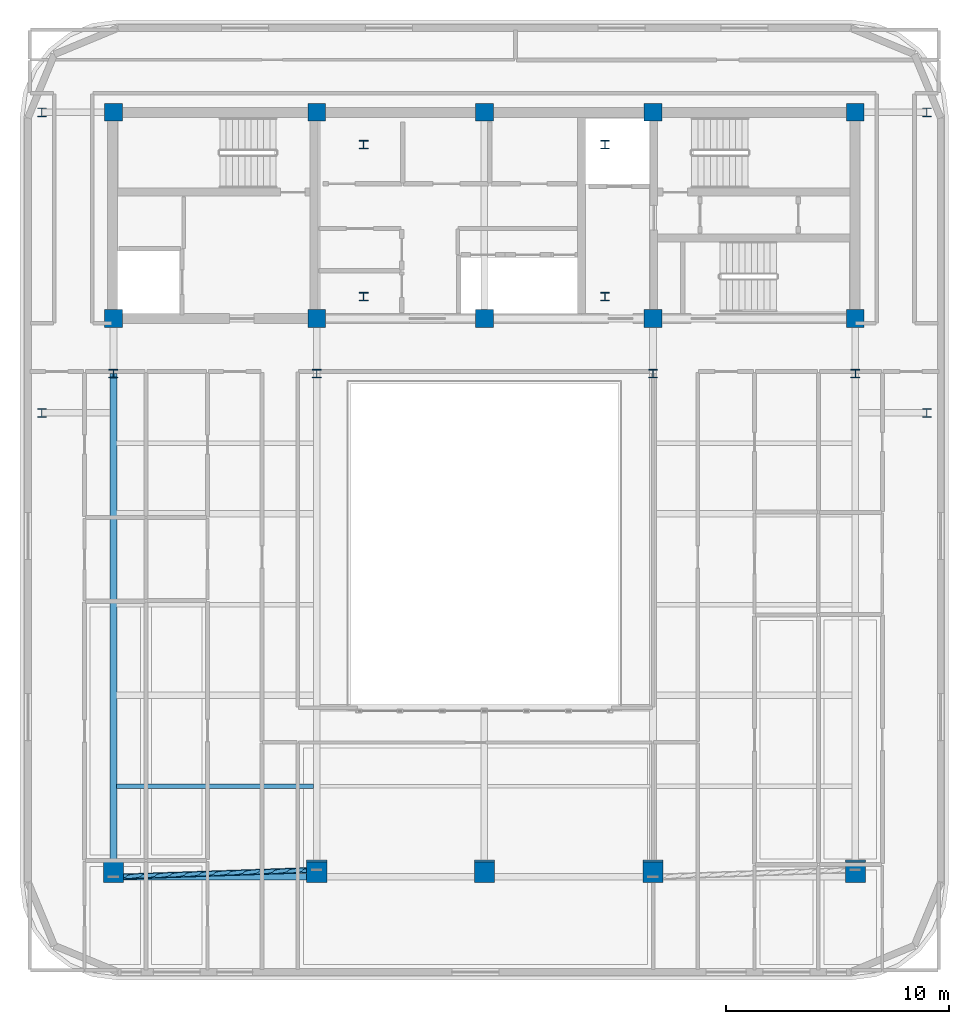
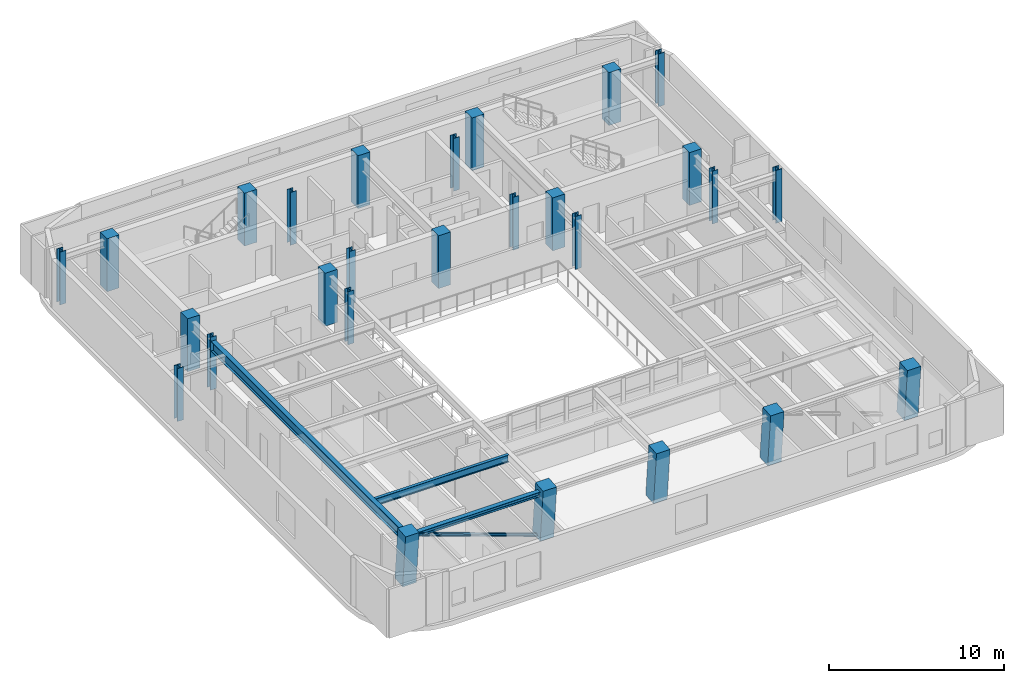
# One storey, part 1 of 13: 27 columns, 3 beams, 1 member.
"""IFC4 building model written with IfcOpenShell, lengths in metres."""

from ifc_helpers import new_model, si_unit, direction, frame, origin, origin_2d, place, context, subcontext, project, spatial, rectangle, hollow_circle, i_section, extrude, material, material_profile, profile_set, type_object, element, save


model = new_model("IFC4")

# Units and contexts
model_context = context("Model", 3, precision=1e-05, world=origin(), true_north=direction((0.0, 1.0)))
body_context = subcontext(model_context, "Body", "Model", "MODEL_VIEW")
ifc_project = project(units=[si_unit("LENGTHUNIT", "METRE"), si_unit("AREAUNIT", "SQUARE_METRE"), si_unit("VOLUMEUNIT", "CUBIC_METRE"), si_unit("PLANEANGLEUNIT", "RADIAN"), si_unit("MASSUNIT", "GRAM", prefix="KILO")], contexts=[model_context])

# Site, building, storey
site_placement = place(None, origin())
site = spatial("IfcSite", under=ifc_project, at=site_placement, CompositionType="ELEMENT")
building_placement = place(site_placement, origin())
building = spatial("IfcBuilding", under=site, at=building_placement, Name="Zarnavel Station Tower", CompositionType="ELEMENT")
storey_placement = place(building_placement, frame((0.0, 0.0, 254.699951171875)))
storey = spatial("IfcBuildingStorey", under=building, at=storey_placement, Name="L69", CompositionType="ELEMENT", Elevation=254.699951171875)

# Columns
ifc_material_1 = material(Name="Steel S355J2", Category="steel")
ifc_material_profile_1 = material_profile(ifc_material_1, i_section(OverallWidth=0.407958984375, OverallDepth=0.39990234375, WebThickness=0.02490234375, FlangeThickness=0.0390625, FilletRadius=0.014892578125, at=origin_2d()), Name="HD400x287")
ifc_profile_set_1 = profile_set([ifc_material_profile_1], Name="Steel S355J2")
column_type_1 = type_object("IfcColumnType", Name="EC_HD287", PredefinedType="COLUMN", material=ifc_profile_set_1)
for number, where, z_axis, x_axis, name in (
    (1, (9.0, 23.60009765625, 0.0), (0.0, 0.0, 1.0), (1.0, 0.0, 0.0), "L69 Inner Wing Spine Column 1-1"),
    (2, (9.0, 37.050048828125, 0.0), (0.0, 0.0, 1.0), (1.0, 0.0, 0.0), "L69 Inner Wing Spine Column 1-2"),
    (3, (48.60009765625, 23.60009765625, 0.0), (0.0, 0.0, 1.0), (1.0, 0.0, 0.0), "L69 Inner Wing Spine Column 2-1"),
    (4, (48.60009765625, 37.050048828125, 0.0), (0.0, 0.0, 1.0), (1.0, 0.0, 0.0), "L69 Inner Wing Spine Column 2-2"),
):
    element("IfcColumn", number, at=place(storey_placement, frame(where, z_axis=z_axis, x_axis=x_axis)), inside=storey, type_object=column_type_1, Name=name, PredefinedType="COLUMN", context=body_context, shape_type="SweptSolid", body=[
        extrude(i_section(OverallWidth=0.407958984375, OverallDepth=0.39990234375, WebThickness=0.02490234375, FlangeThickness=0.0390625, FilletRadius=0.014892578125, at=origin_2d()), origin(), (0.0, 0.0, 1.0), 3.699951171875),
    ])
ifc_material_2 = material(Name="Steel S355J2", Category="steel")
ifc_material_profile_2 = material_profile(ifc_material_2, i_section(OverallWidth=0.39501953125, OverallDepth=0.3798828125, WebThickness=0.018798828125, FlangeThickness=0.0302734375, FilletRadius=0.014892578125, at=origin_2d()), Name="HD400x237")
ifc_profile_set_2 = profile_set([ifc_material_profile_2], Name="Steel S355J2")
column_type_2 = type_object("IfcColumnType", Name="IC_HD237", PredefinedType="COLUMN", material=ifc_profile_set_2)
for number, where, z_axis, x_axis, name in (
    (5, (23.39990234375, 28.800048828125, 0.0), (0.0, 0.0, 1.0), (1.0, 0.0, 0.0), "L69 Mast Spine Column 1"),
    (6, (34.199951171875, 28.800048828125, 0.0), (0.0, 0.0, 1.0), (1.0, 0.0, 0.0), "L69 Mast Spine Column 2"),
    (7, (34.199951171875, 35.60009765625, 0.0), (0.0, 0.0, 1.0), (1.0, 0.0, 0.0), "L69 Mast Spine Column 3"),
    (8, (23.39990234375, 35.60009765625, 0.0), (0.0, 0.0, 1.0), (1.0, 0.0, 0.0), "L69 Mast Spine Column 4"),
    (9, (12.199951171875, 25.35009765625, 0.0), (0.0, 0.0, 1.0), (1.0, 0.0, 0.0), "L69 Inner Spine Column 1"),
    (10, (21.300048828125, 25.35009765625, 0.0), (0.0, 0.0, 1.0), (1.0, 0.0, 0.0), "L69 Inner Spine Column 2"),
    (11, (36.35009765625, 25.35009765625, 0.0), (0.0, 0.0, 1.0), (1.0, 0.0, 0.0), "L69 Inner Spine Column 4"),
    (12, (45.39990234375, 25.35009765625, 0.0), (0.0, 0.0, 1.0), (1.0, 0.0, 0.0), "L69 Inner Spine Column 5"),
):
    element("IfcColumn", number, at=place(storey_placement, frame(where, z_axis=z_axis, x_axis=x_axis)), inside=storey, type_object=column_type_2, Name=name, PredefinedType="COLUMN", context=body_context, shape_type="SweptSolid", body=[
        extrude(i_section(OverallWidth=0.39501953125, OverallDepth=0.3798828125, WebThickness=0.018798828125, FlangeThickness=0.0302734375, FilletRadius=0.014892578125, at=origin_2d()), origin(), (0.0, 0.0, 1.0), 3.699951171875),
    ])
ifc_material_3 = material(Name="Concrete C45/55", Category="concrete")
ifc_material_profile_3 = material_profile(ifc_material_3, rectangle(XDim=0.800048828125, YDim=0.800048828125, at=origin_2d()), Name="RC800x800")
ifc_profile_set_3 = profile_set([ifc_material_profile_3], Name="Concrete C45/55")
column_type_3 = type_object("IfcColumnType", Name="IC_RC800", PredefinedType="COLUMN", material=ifc_profile_set_3)
for number, where, z_axis, x_axis, name in (
    (13, (12.199951171875, 27.820068359375, 0.0), (0.0, 0.0, 1.0), (1.0, 0.0, 0.0), "L69 Core Spine Column 1-1"),
    (14, (12.199951171875, 37.050048828125, 0.0), (0.0, 0.0, 1.0), (1.0, 0.0, 0.0), "L69 Core Spine Column 1-2"),
    (15, (21.300048828125, 27.820068359375, 0.0), (0.0, 0.0, 1.0), (1.0, 0.0, 0.0), "L69 Core Spine Column 2-1"),
    (16, (21.300048828125, 37.050048828125, 0.0), (0.0, 0.0, 1.0), (1.0, 0.0, 0.0), "L69 Core Spine Column 2-2"),
    (17, (28.800048828125, 27.820068359375, 0.0), (0.0, 0.0, 1.0), (1.0, 0.0, 0.0), "L69 Core Spine Column 3-1"),
    (18, (28.800048828125, 37.050048828125, 0.0), (0.0, 0.0, 1.0), (1.0, 0.0, 0.0), "L69 Core Spine Column 3-2"),
    (19, (36.35009765625, 27.820068359375, 0.0), (0.0, 0.0, 1.0), (1.0, 0.0, 0.0), "L69 Core Spine Column 4-1"),
    (20, (36.35009765625, 37.050048828125, 0.0), (0.0, 0.0, 1.0), (1.0, 0.0, 0.0), "L69 Core Spine Column 4-2"),
    (21, (45.39990234375, 27.820068359375, 0.0), (0.0, 0.0, 1.0), (1.0, 0.0, 0.0), "L69 Core Spine Column 5-1"),
    (22, (45.39990234375, 37.050048828125, 0.0), (0.0, 0.0, 1.0), (1.0, 0.0, 0.0), "L69 Core Spine Column 5-2"),
):
    element("IfcColumn", number, at=place(storey_placement, frame(where, z_axis=z_axis, x_axis=x_axis)), inside=storey, type_object=column_type_3, Name=name, PredefinedType="COLUMN", context=body_context, shape_type="SweptSolid", body=[
        extrude(rectangle(XDim=0.800048828125, YDim=0.800048828125, at=origin_2d()), origin(), (0.0, 0.0, 1.0), 3.699951171875),
    ])
ifc_material_4 = material(Name="Concrete C50/60", Category="concrete")
ifc_material_profile_4 = material_profile(ifc_material_4, rectangle(XDim=0.89990234375, YDim=0.89990234375, at=origin_2d()), Name="RC900x900")
ifc_profile_set_4 = profile_set([ifc_material_profile_4], Name="Concrete C50/60")
column_type_4 = type_object("IfcColumnType", Name="MC_RC900", PredefinedType="COLUMN", material=ifc_profile_set_4)
for number, where, z_axis, x_axis, name in (
    (23, (12.199951171875, 3.147216796875, 0.0), (0.0, -0.090292812226, 0.995915261486), (1.0, 0.0, 0.0), "L69 Raked South Mega-Column 1"),
    (24, (21.300048828125, 3.147216796875, 0.0), (0.0, -0.090292812226, 0.995915261486), (1.0, 0.0, 0.0), "L69 Raked South Mega-Column 2"),
    (25, (28.800048828125, 3.147216796875, 0.0), (0.0, -0.090292812226, 0.995915261486), (1.0, 0.0, 0.0), "L69 Raked South Mega-Column 3"),
    (26, (36.35009765625, 3.147216796875, 0.0), (0.0, -0.090292812226, 0.995915261486), (1.0, 0.0, 0.0), "L69 Raked South Mega-Column 4"),
    (27, (45.39990234375, 3.147216796875, 0.0), (0.0, -0.090292812226, 0.995915261486), (1.0, 0.0, 0.0), "L69 Raked South Mega-Column 5"),
):
    element("IfcColumn", number, at=place(storey_placement, frame(where, z_axis=z_axis, x_axis=x_axis)), inside=storey, type_object=column_type_4, Name=name, PredefinedType="COLUMN", context=body_context, shape_type="SweptSolid", body=[
        extrude(rectangle(XDim=0.89990234375, YDim=0.89990234375, at=origin_2d()), origin(), (0.0, 0.0, 1.0), 3.715087890625),
    ])

# Member
ifc_material_5 = material(Name="Steel S355J2", Category="steel")
ifc_material_profile_5 = material_profile(ifc_material_5, hollow_circle(Radius=0.122314453125, WallThickness=0.010009765625, at=origin_2d()), Name="CHS244.5x10")
ifc_profile_set_5 = profile_set([ifc_material_profile_5], Name="Steel S355J2")
member_type = type_object("IfcMemberType", Name="DB_EXT_CHS245", PredefinedType="BRACE", material=ifc_profile_set_5)
member_placement = place(storey_placement, frame((21.300048828125, 3.147216796875, 0.0), z_axis=(-0.935595182058, -0.03187760587, 0.35163258318), x_axis=(0.034052247375, -0.999420054056, 0.0)))
element("IfcMember", 28, at=member_placement, inside=storey, type_object=member_type, Name="L69 Persian Exterior Diagonal Frame Brace 1", PredefinedType="BRACE", context=body_context, shape_type="SweptSolid", body=[
    extrude(hollow_circle(Radius=0.122314453125, WallThickness=0.010009765625, at=origin_2d()), origin(), (0.0, 0.0, 1.0), 9.7265625),
])

# Beams
ifc_material_6 = material(Name="Steel S355J2", Category="steel")
ifc_material_profile_6 = material_profile(ifc_material_6, i_section(OverallWidth=0.300048828125, OverallDepth=0.320068359375, WebThickness=0.011474609375, FlangeThickness=0.0205078125, FilletRadius=0.027099609375, at=origin_2d()), Name="HEB320")
ifc_profile_set_6 = profile_set([ifc_material_profile_6], Name="Steel S355J2")
beam_type_1 = type_object("IfcBeamType", Name="EB_HEB320", PredefinedType="SPANDREL", material=ifc_profile_set_6)
beam_1_placement = place(storey_placement, frame((12.199951171875, 2.837158203125, 3.260009765625), z_axis=(1.0, 0.0, 0.0), x_axis=(0.0, 1.0, 0.0)))
element("IfcBeam", 29, at=beam_1_placement, inside=storey, type_object=beam_type_1, Name="L69 South Raked Spandrel 1", PredefinedType="SPANDREL", context=body_context, shape_type="SweptSolid", body=[
    extrude(i_section(OverallWidth=0.300048828125, OverallDepth=0.320068359375, WebThickness=0.011474609375, FlangeThickness=0.0205078125, FilletRadius=0.027099609375, at=origin_2d()), origin(), (0.0, 0.0, 1.0), 9.10009765625),
])
ifc_material_7 = material(Name="Steel S355J2", Category="steel")
ifc_material_profile_7 = material_profile(ifc_material_7, i_section(OverallWidth=0.199951171875, OverallDepth=0.5, WebThickness=0.01025390625, FlangeThickness=0.01611328125, FilletRadius=0.02099609375, at=origin_2d()), Name="IPE500")
ifc_profile_set_7 = profile_set([ifc_material_profile_7], Name="Steel S355J2")
beam_type_2 = type_object("IfcBeamType", Name="FB_IPE500", PredefinedType="BEAM", material=ifc_profile_set_7)
beam_2_placement = place(storey_placement, frame((12.344970703125, 6.897705078125, 3.170166015625), z_axis=(1.0, 0.0, 0.0), x_axis=(0.0, 1.0, 0.0)))
element("IfcBeam", 30, at=beam_2_placement, inside=storey, type_object=beam_type_2, Name="L69 West Bay Beam 1", PredefinedType="BEAM", context=body_context, shape_type="SweptSolid", body=[
    extrude(i_section(OverallWidth=0.199951171875, OverallDepth=0.5, WebThickness=0.01025390625, FlangeThickness=0.01611328125, FilletRadius=0.02099609375, at=origin_2d()), origin(), (0.0, 0.0, 1.0), 8.81005859375),
])
ifc_material_8 = material(Name="Steel S355J2", Category="steel")
ifc_material_profile_8 = material_profile(ifc_material_8, i_section(OverallWidth=0.300048828125, OverallDepth=0.699951171875, WebThickness=0.01708984375, FlangeThickness=0.031982421875, FilletRadius=0.027099609375, at=origin_2d()), Name="HEB700")
ifc_profile_set_8 = profile_set([ifc_material_profile_8], Name="Steel S355J2")
beam_type_3 = type_object("IfcBeamType", Name="FG_HEB700", PredefinedType="USERDEFINED", material=ifc_profile_set_8)
beam_3_placement = place(storey_placement, frame((12.199951171875, 2.837158203125, 3.070068359375), z_axis=(0.0, 1.0, 0.0), x_axis=(-1.0, 0.0, 0.0)))
element("IfcBeam", 31, at=beam_3_placement, inside=storey, type_object=beam_type_3, Name="L69 South-Zone NS Girder 1", ObjectType="GIRDER", PredefinedType="USERDEFINED", context=body_context, shape_type="SweptSolid", body=[
    extrude(i_section(OverallWidth=0.300048828125, OverallDepth=0.699951171875, WebThickness=0.01708984375, FlangeThickness=0.031982421875, FilletRadius=0.027099609375, at=origin_2d()), origin(), (0.0, 0.0, 1.0), 22.512939453125),
])

save(model, "model.ifc")
